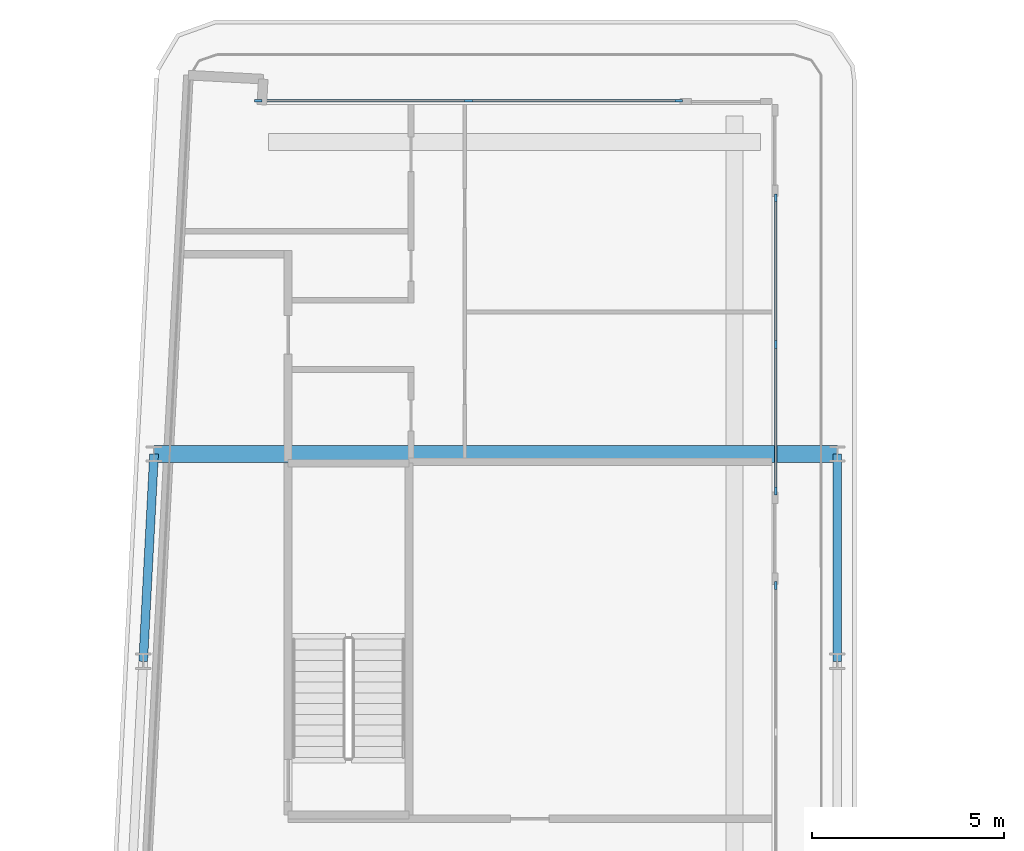
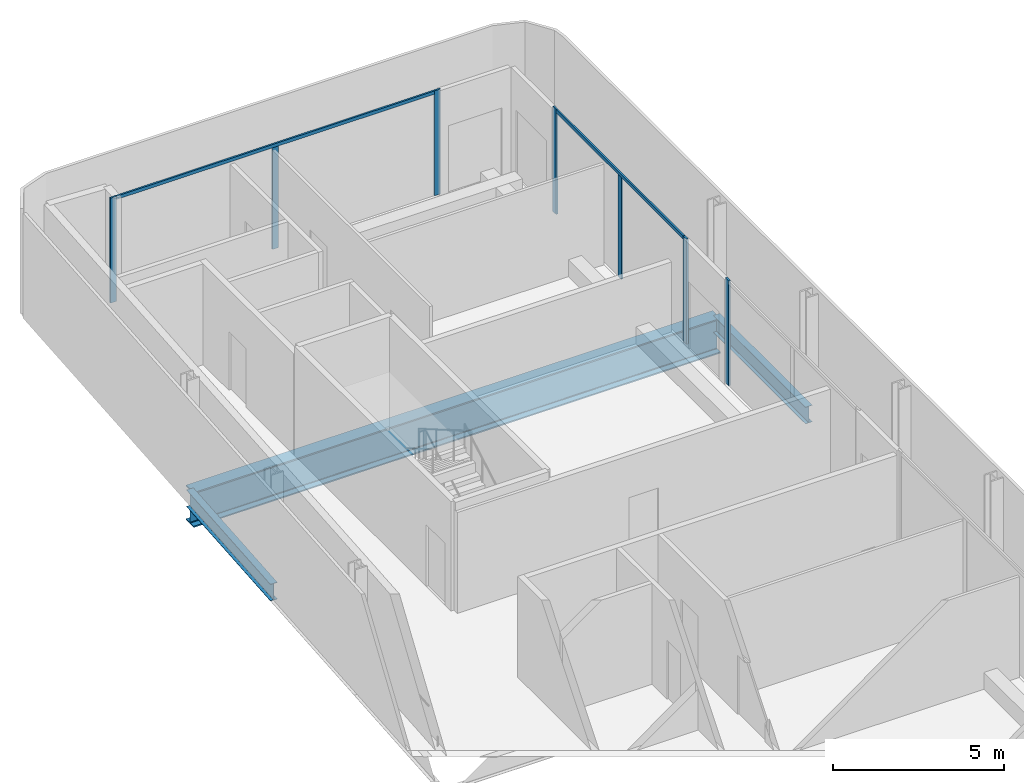
# One storey, part 11 of 29: 9 members, 3 beams, 3 elements without a shape of their own.
"""IFC4 building model written with IfcOpenShell, lengths in metres."""

from ifc_helpers import new_model, si_unit, direction, frame, origin, origin_2d, place, context, subcontext, project, spatial, rectangle, i_section, extrude, material, layer, layer_set, material_profile, profile_set, type_object, element, aggregate, save


model = new_model("IFC4")

# Units and contexts
model_context = context("Model", 3, precision=1e-05, world=origin(), true_north=direction((0.0, 1.0)))
body_context = subcontext(model_context, "Body", "Model", "MODEL_VIEW")
ifc_project = project(units=[si_unit("LENGTHUNIT", "METRE"), si_unit("AREAUNIT", "SQUARE_METRE"), si_unit("VOLUMEUNIT", "CUBIC_METRE"), si_unit("PLANEANGLEUNIT", "RADIAN"), si_unit("MASSUNIT", "GRAM", prefix="KILO")], contexts=[model_context])

# Site, building, storey
site_placement = place(None, origin())
site = spatial("IfcSite", under=ifc_project, at=site_placement, CompositionType="ELEMENT")
building_placement = place(site_placement, origin())
building = spatial("IfcBuilding", under=site, at=building_placement, Name="Kheshtan School and Residences Tower", CompositionType="ELEMENT")
storey_placement = place(building_placement, frame((0.0, 0.0, 168.199951171875)))
storey = spatial("IfcBuildingStorey", under=building, at=storey_placement, Name="L39", CompositionType="ELEMENT", Elevation=168.199951171875)

# Beams
ifc_material_1 = material(Name="Steel ASTM A992 Grade 50", Category="steel")
ifc_material_profile_1 = material_profile(ifc_material_1, i_section(OverallWidth=0.22802734375, OverallDepth=0.60302734375, WebThickness=0.010498046875, FlangeThickness=0.014892578125, FilletRadius=0.013427734375, at=origin_2d()), Name="W610x101")
ifc_profile_set_1 = profile_set([ifc_material_profile_1], Name="Steel ASTM A992 Grade 50")
beam_type_1 = type_object("IfcBeamType", Name="Beam SP2 W610x101 ASTM A992 Grade 50", PredefinedType="BEAM", material=ifc_profile_set_1)
beam_1_placement = place(storey_placement, frame((47.60009765625, 88.800048828125, -0.451416015625), z_axis=(0.0, -1.0, 0.0), x_axis=(1.0, 0.0, 0.0)))
element("IfcBeam", 1, at=beam_1_placement, inside=storey, type_object=beam_type_1, Name="Spandrel beam C099-C091", PredefinedType="BEAM", context=body_context, shape_type="SweptSolid", body=[
    extrude(i_section(OverallWidth=0.22802734375, OverallDepth=0.60302734375, WebThickness=0.010498046875, FlangeThickness=0.014892578125, FilletRadius=0.013427734375, at=origin_2d()), origin(), (0.0, 0.0, 1.0), 5.400146484375),
])
beam_2_placement = place(storey_placement, frame((29.527099609375, 83.39990234375, -0.451416015625), z_axis=(0.05250670125, 0.998620571751, 0.0), x_axis=(-0.998620571751, 0.05250670125, 0.0)))
element("IfcBeam", 2, at=beam_2_placement, inside=storey, type_object=beam_type_1, Name="Spandrel beam C090-C098", PredefinedType="BEAM", context=body_context, shape_type="SweptSolid", body=[
    extrude(i_section(OverallWidth=0.22802734375, OverallDepth=0.60302734375, WebThickness=0.010498046875, FlangeThickness=0.014892578125, FilletRadius=0.013427734375, at=origin_2d()), origin(), (0.0, 0.0, 1.0), 5.40771484375),
])

# Curtain wall, members
ifc_material_2 = material(Name="Clear low-e glass in thermally broken aluminium frame", Category="aluminium")
ifc_layer = layer(ifc_material_2, 0.199951171875)
ifc_layer_set = layer_set([ifc_layer], Name="Curtain wall CW-L")
curtain_wall_type = type_object("IfcCurtainWallType", Name="Curtain wall CW-L", PredefinedType="NOTDEFINED", material=ifc_layer_set)
curtain_wall_1_placement = place(storey_placement, origin())
curtain_wall_1 = element("IfcCurtainWall", 3, at=curtain_wall_1_placement, inside=storey, type_object=curtain_wall_type, Name="Curtain wall CWL7", PredefinedType="NOTDEFINED")
ifc_material_3 = material(Name="Thermally broken aluminium, dark bronze anodised", Category="aluminium")
ifc_material_profile_2 = material_profile(ifc_material_3, rectangle(XDim=0.06005859375, YDim=0.199951171875, at=origin_2d()), Name="CW-L mullion 60x200")
ifc_profile_set_2 = profile_set([ifc_material_profile_2], Name="Thermally broken aluminium, dark bronze anodised")
member_type_1 = type_object("IfcMemberType", Name="CW-L mullion 60x200", PredefinedType="MULLION", material=ifc_profile_set_2)
member_1_placement = place(storey_placement, frame((32.52197265625, 98.0, 0.0), z_axis=(0.0, 0.0, 1.0), x_axis=(0.0, 1.0, 0.0)))
member_1 = element("IfcMember", 4, at=member_1_placement, type_object=member_type_1, Name="CWL7 mullion 1", PredefinedType="MULLION", context=body_context, shape_type="SweptSolid", body=[
    extrude(rectangle(XDim=0.06005859375, YDim=0.199951171875, at=origin_2d()), origin(), (0.0, 0.0, 1.0), 3.75),
])
member_2_placement = place(storey_placement, frame((37.99609375, 98.0, 0.0), z_axis=(0.0, 0.0, 1.0), x_axis=(0.0, 1.0, 0.0)))
member_2 = element("IfcMember", 5, at=member_2_placement, type_object=member_type_1, Name="CWL7 mullion 2", PredefinedType="MULLION", context=body_context, shape_type="SweptSolid", body=[
    extrude(rectangle(XDim=0.06005859375, YDim=0.199951171875, at=origin_2d()), origin(), (0.0, 0.0, 1.0), 3.630126953125),
])
member_3_placement = place(storey_placement, frame((43.469970703125, 98.0, 0.0), z_axis=(0.0, 0.0, 1.0), x_axis=(0.0, 1.0, 0.0)))
member_3 = element("IfcMember", 6, at=member_3_placement, type_object=member_type_1, Name="CWL7 mullion 3", PredefinedType="MULLION", context=body_context, shape_type="SweptSolid", body=[
    extrude(rectangle(XDim=0.06005859375, YDim=0.199951171875, at=origin_2d()), origin(), (0.0, 0.0, 1.0), 3.75),
])

curtain_wall_2_placement = place(storey_placement, origin())
curtain_wall_2 = element("IfcCurtainWall", 7, at=curtain_wall_2_placement, inside=storey, type_object=curtain_wall_type, Name="Curtain wall CWL8", PredefinedType="NOTDEFINED")
member_4_placement = place(storey_placement, frame((46.0, 95.469970703125, 0.0), z_axis=(0.0, 0.0, 1.0), x_axis=(1.0, 0.0, 0.0)))
member_4 = element("IfcMember", 8, at=member_4_placement, type_object=member_type_1, Name="CWL8 mullion 1", PredefinedType="MULLION", context=body_context, shape_type="SweptSolid", body=[
    extrude(rectangle(XDim=0.06005859375, YDim=0.199951171875, at=origin_2d()), origin(), (0.0, 0.0, 1.0), 3.75),
])
member_5_placement = place(storey_placement, frame((46.0, 91.653076171875, 0.0), z_axis=(0.0, 0.0, 1.0), x_axis=(1.0, 0.0, 0.0)))
member_5 = element("IfcMember", 9, at=member_5_placement, type_object=member_type_1, Name="CWL8 mullion 2", PredefinedType="MULLION", context=body_context, shape_type="SweptSolid", body=[
    extrude(rectangle(XDim=0.06005859375, YDim=0.199951171875, at=origin_2d()), origin(), (0.0, 0.0, 1.0), 3.630126953125),
])
member_6_placement = place(storey_placement, frame((46.0, 87.8359375, 0.0), z_axis=(0.0, 0.0, 1.0), x_axis=(1.0, 0.0, 0.0)))
member_6 = element("IfcMember", 10, at=member_6_placement, type_object=member_type_1, Name="CWL8 mullion 3", PredefinedType="MULLION", context=body_context, shape_type="SweptSolid", body=[
    extrude(rectangle(XDim=0.06005859375, YDim=0.199951171875, at=origin_2d()), origin(), (0.0, 0.0, 1.0), 3.75),
])

# Curtain wall, member
curtain_wall_3_placement = place(storey_placement, origin())
curtain_wall_3 = element("IfcCurtainWall", 11, at=curtain_wall_3_placement, inside=storey, type_object=curtain_wall_type, Name="Curtain wall CWL8", PredefinedType="NOTDEFINED")
member_7_placement = place(storey_placement, frame((46.0, 85.3759765625, 0.0), z_axis=(0.0, 0.0, 1.0), x_axis=(1.0, 0.0, 0.0)))
member_7 = element("IfcMember", 12, at=member_7_placement, type_object=member_type_1, Name="CWL8 mullion 1", PredefinedType="MULLION", context=body_context, shape_type="SweptSolid", body=[
    extrude(rectangle(XDim=0.06005859375, YDim=0.199951171875, at=origin_2d()), origin(), (0.0, 0.0, 1.0), 3.75),
])
aggregate(curtain_wall_3, [member_7])

# Member
ifc_material_profile_3 = material_profile(ifc_material_3, rectangle(XDim=0.06005859375, YDim=0.1201171875, at=origin_2d()), Name="CW-L transom 60x120")
ifc_profile_set_3 = profile_set([ifc_material_profile_3], Name="Thermally broken aluminium, dark bronze anodised")
member_type_2 = type_object("IfcMemberType", Name="CW-L transom 60x120", PredefinedType="USERDEFINED", material=ifc_profile_set_3)
member_8_placement = place(storey_placement, frame((32.552001953125, 98.0, 3.68994140625), z_axis=(1.0, 0.0, 0.0), x_axis=(0.0, 1.0, 0.0)))
member_8 = element("IfcMember", 13, at=member_8_placement, type_object=member_type_2, Name="CWL7 transom 1", ObjectType="TRANSOM", PredefinedType="USERDEFINED", context=body_context, shape_type="SweptSolid", body=[
    extrude(rectangle(XDim=0.06005859375, YDim=0.1201171875, at=origin_2d()), origin(), (0.0, 0.0, 1.0), 10.887939453125),
])

aggregate(curtain_wall_1, [member_1, member_2, member_3, member_8])

member_9_placement = place(storey_placement, frame((46.0, 95.43994140625, 3.68994140625), z_axis=(0.0, -1.0, 0.0), x_axis=(1.0, 0.0, 0.0)))
member_9 = element("IfcMember", 14, at=member_9_placement, type_object=member_type_2, Name="CWL8 transom 1", ObjectType="TRANSOM", PredefinedType="USERDEFINED", context=body_context, shape_type="SweptSolid", body=[
    extrude(rectangle(XDim=0.06005859375, YDim=0.1201171875, at=origin_2d()), origin(), (0.0, 0.0, 1.0), 7.573974609375),
])

aggregate(curtain_wall_2, [member_4, member_5, member_6, member_9])

# Beam
ifc_material_profile_4 = material_profile(ifc_material_1, i_section(OverallWidth=0.449951171875, OverallDepth=1.25, WebThickness=0.02490234375, FlangeThickness=0.044921875, FilletRadius=0.03759765625, at=origin_2d()), Name="WWF1250x546")
ifc_profile_set_4 = profile_set([ifc_material_profile_4], Name="Steel ASTM A992 Grade 50")
beam_type_2 = type_object("IfcBeamType", Name="Transfer girder TG4 WWF1250x546 ASTM A992 Grade 50", PredefinedType="BEAM", material=ifc_profile_set_4)
beam_3_placement = place(storey_placement, frame((29.81103515625, 88.800048828125, -0.77490234375), z_axis=(1.0, 0.0, 0.0), x_axis=(0.0, 1.0, 0.0)))
element("IfcBeam", 15, at=beam_3_placement, inside=storey, type_object=beam_type_2, Name="Transfer girder C098-C099", PredefinedType="BEAM", context=body_context, shape_type="SweptSolid", body=[
    extrude(i_section(OverallWidth=0.449951171875, OverallDepth=1.25, WebThickness=0.02490234375, FlangeThickness=0.044921875, FilletRadius=0.03759765625, at=origin_2d()), origin(), (0.0, 0.0, 1.0), 17.7890625),
])

save(model, "model.ifc")
